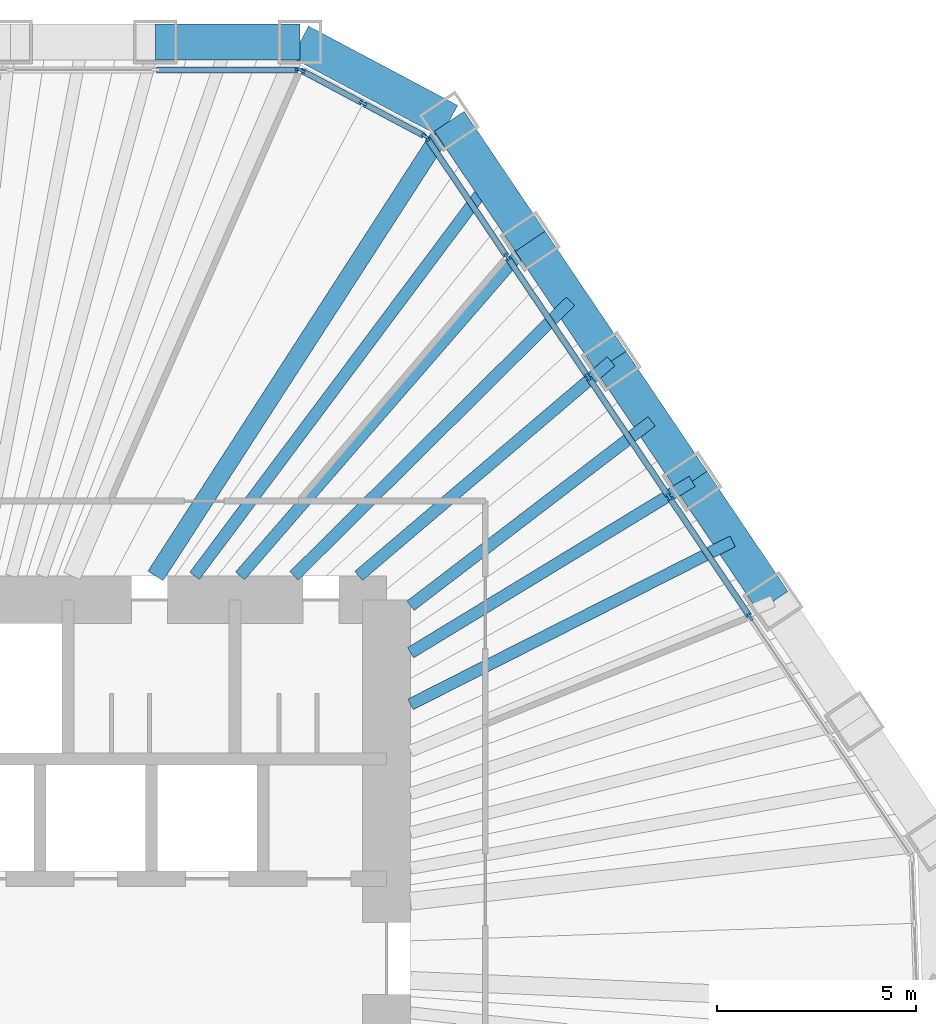
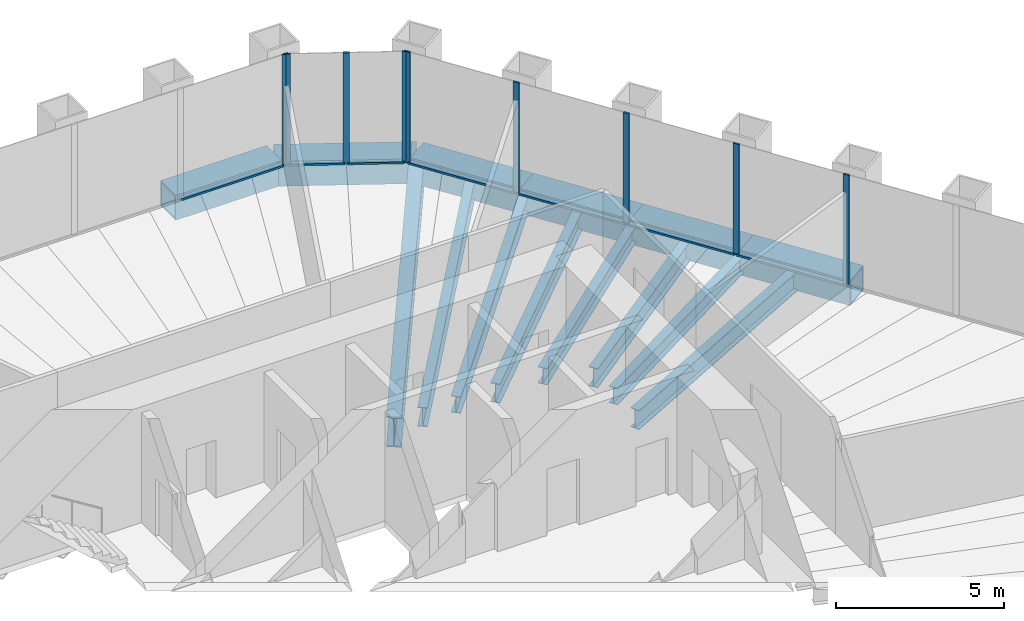
# One storey, part 7 of 13: 16 members, 14 beams, 3 elements without a shape of their own.
"""IFC4 building model written with IfcOpenShell, lengths in metres."""

from ifc_helpers import new_model, si_unit, direction, frame, origin, origin_2d, place, context, subcontext, project, spatial, rectangle, hollow_rectangle, i_section, extrude, material, material_profile, profile_set, type_object, element, aggregate, save


model = new_model("IFC4")

# Units and contexts
model_context = context("Model", 3, precision=1e-05, world=origin(), true_north=direction((0.0, 1.0)))
body_context = subcontext(model_context, "Body", "Model", "MODEL_VIEW")
ifc_project = project(units=[si_unit("LENGTHUNIT", "METRE"), si_unit("AREAUNIT", "SQUARE_METRE"), si_unit("VOLUMEUNIT", "CUBIC_METRE"), si_unit("PLANEANGLEUNIT", "RADIAN"), si_unit("MASSUNIT", "GRAM", prefix="KILO")], contexts=[model_context])

# Site, building, storey
site_placement = place(None, origin())
site = spatial("IfcSite", under=ifc_project, at=site_placement, CompositionType="ELEMENT")
building_placement = place(site_placement, origin())
building = spatial("IfcBuilding", under=site, at=building_placement, Name="Qingtian Harvest Tower", CompositionType="ELEMENT")
storey_placement = place(building_placement, frame((0.0, 0.0, 193.0)))
storey = spatial("IfcBuildingStorey", under=building, at=storey_placement, Name="L41", CompositionType="ELEMENT", Elevation=193.0)

# Beams
ifc_material_1 = material(Name="Steel SM570MC", Category="steel")
ifc_material_profile_1 = material_profile(ifc_material_1, i_section(OverallWidth=0.449951171875, OverallDepth=1.10009765625, WebThickness=0.02197265625, FlangeThickness=0.044921875, at=origin_2d()), Name="H1100x450x22x45")
ifc_profile_set_1 = profile_set([ifc_material_profile_1], Name="Steel SM570MC")
beam_type_1 = type_object("IfcBeamType", Name="Corner floor beam FB8 H1100x450x22x45", PredefinedType="BEAM", material=ifc_profile_set_1)
beam_1_placement = place(storey_placement, frame((13.5712890625, 21.01025390625, -0.719970703125), z_axis=(-0.542593072822, -0.839995688873, 0.0), x_axis=(0.839995688873, -0.542593072822, 0.0)))
element("IfcBeam", 1, at=beam_1_placement, inside=storey, type_object=beam_type_1, Name="Floor beam FB8 NE0", PredefinedType="BEAM", context=body_context, shape_type="SweptSolid", body=[
    extrude(i_section(OverallWidth=0.449951171875, OverallDepth=1.10009765625, WebThickness=0.02197265625, FlangeThickness=0.044921875, at=origin_2d()), origin(), (0.0, 0.0, 1.0), 13.58349609375),
])
ifc_material_2 = material(Name="Steel SN490B", Category="steel")
ifc_material_profile_2 = material_profile(ifc_material_2, i_section(OverallWidth=0.300048828125, OverallDepth=0.60009765625, WebThickness=0.011962890625, FlangeThickness=0.02001953125, at=origin_2d()), Name="H600x300x12x20")
ifc_profile_set_2 = profile_set([ifc_material_profile_2], Name="Steel SN490B")
beam_type_2 = type_object("IfcBeamType", Name="Floor beam FB3 H600x300x12x20", PredefinedType="BEAM", material=ifc_profile_set_2)
beam_2_placement = place(storey_placement, frame((15.603271484375, 17.998046875, -0.469970703125), z_axis=(-0.655048444444, -0.755586881458, 0.0), x_axis=(0.755586881458, -0.655048444444, 0.0)))
element("IfcBeam", 2, at=beam_2_placement, inside=storey, type_object=beam_type_2, Name="Floor beam FB3 NE1", PredefinedType="BEAM", context=body_context, shape_type="SweptSolid", body=[
    extrude(i_section(OverallWidth=0.300048828125, OverallDepth=0.60009765625, WebThickness=0.011962890625, FlangeThickness=0.02001953125, at=origin_2d()), origin(), (0.0, 0.0, 1.0), 11.114501953125),
])
beam_3_placement = place(storey_placement, frame((17.635009765625, 14.985595703125, -0.469970703125), z_axis=(-0.762028398305, -0.647543604846, 0.0), x_axis=(0.647543604846, -0.762028398305, 0.0)))
element("IfcBeam", 3, at=beam_3_placement, inside=storey, type_object=beam_type_2, Name="Floor beam FB3 NE2", PredefinedType="BEAM", context=body_context, shape_type="SweptSolid", body=[
    extrude(i_section(OverallWidth=0.300048828125, OverallDepth=0.60009765625, WebThickness=0.011962890625, FlangeThickness=0.02001953125, at=origin_2d()), origin(), (0.0, 0.0, 1.0), 8.31689453125),
])
beam_4_placement = place(storey_placement, frame((19.6669921875, 11.97314453125, -0.469970703125), z_axis=(-0.854163224424, -0.520004986554, 0.0), x_axis=(0.520004986554, -0.854163224424, 0.0)))
element("IfcBeam", 4, at=beam_4_placement, inside=storey, type_object=beam_type_2, Name="Floor beam FB3 NE3", PredefinedType="BEAM", context=body_context, shape_type="SweptSolid", body=[
    extrude(i_section(OverallWidth=0.300048828125, OverallDepth=0.60009765625, WebThickness=0.011962890625, FlangeThickness=0.02001953125, at=origin_2d()), origin(), (0.0, 0.0, 1.0), 8.2734375),
])
ifc_material_3 = material(Name="Steel SN490B", Category="steel")
ifc_material_profile_3 = material_profile(ifc_material_3, i_section(OverallWidth=0.300048828125, OverallDepth=0.699951171875, WebThickness=0.012939453125, FlangeThickness=0.02392578125, at=origin_2d()), Name="H700x300x13x24")
ifc_profile_set_3 = profile_set([ifc_material_profile_3], Name="Steel SN490B")
beam_type_3 = type_object("IfcBeamType", Name="Floor joist J2 H700x300x13x24", PredefinedType="JOIST", material=ifc_profile_set_3)
beam_5_placement = place(storey_placement, frame((14.58740234375, 19.504150390625, -0.52001953125), z_axis=(-0.598935081494, -0.800797582511, 0.0), x_axis=(0.800797582511, -0.598935081494, 0.0)))
element("IfcBeam", 5, at=beam_5_placement, inside=storey, type_object=beam_type_3, Name="Floor joist J2 NE0", PredefinedType="JOIST", context=body_context, shape_type="SweptSolid", body=[
    extrude(i_section(OverallWidth=0.300048828125, OverallDepth=0.699951171875, WebThickness=0.012939453125, FlangeThickness=0.02392578125, at=origin_2d()), origin(), (0.0, 0.0, 1.0), 12.36767578125),
])
beam_6_placement = place(storey_placement, frame((16.619140625, 16.49169921875, -0.52001953125), z_axis=(-0.709833839663, -0.704369164622, 0.0), x_axis=(0.704369164622, -0.709833839663, 0.0)))
element("IfcBeam", 6, at=beam_6_placement, inside=storey, type_object=beam_type_3, Name="Floor joist J2 NE1", PredefinedType="JOIST", context=body_context, shape_type="SweptSolid", body=[
    extrude(i_section(OverallWidth=0.300048828125, OverallDepth=0.699951171875, WebThickness=0.012939453125, FlangeThickness=0.02392578125, at=origin_2d()), origin(), (0.0, 0.0, 1.0), 9.7841796875),
])
beam_7_placement = place(storey_placement, frame((18.651123046875, 13.4794921875, -0.52001953125), z_axis=(-0.794222288871, -0.607627316585, 0.0), x_axis=(0.607627316585, -0.794222288871, 0.0)))
element("IfcBeam", 7, at=beam_7_placement, inside=storey, type_object=beam_type_3, Name="Floor joist J2 NE2", PredefinedType="JOIST", context=body_context, shape_type="SweptSolid", body=[
    extrude(i_section(OverallWidth=0.300048828125, OverallDepth=0.699951171875, WebThickness=0.012939453125, FlangeThickness=0.02392578125, at=origin_2d()), origin(), (0.0, 0.0, 1.0), 7.618896484375),
])
beam_8_placement = place(storey_placement, frame((20.682861328125, 10.467041015625, -0.52001953125), z_axis=(-0.892244443914, -0.451552712652, 0.0), x_axis=(0.451552712652, -0.892244443914, 0.0)))
element("IfcBeam", 8, at=beam_8_placement, inside=storey, type_object=beam_type_3, Name="Floor joist J2 NE3", PredefinedType="JOIST", context=body_context, shape_type="SweptSolid", body=[
    extrude(i_section(OverallWidth=0.300048828125, OverallDepth=0.699951171875, WebThickness=0.012939453125, FlangeThickness=0.02392578125, at=origin_2d()), origin(), (0.0, 0.0, 1.0), 9.058837890625),
])

# Curtain wall, member
ifc_material_4 = material(Name="Bronze-anodised aluminium curtain wall", Category="aluminium")
curtain_wall_type = type_object("IfcCurtainWallType", Name="Curtain wall CW4 office", PredefinedType="USERDEFINED", material=ifc_material_4)
curtain_wall_1_placement = place(storey_placement, origin())
curtain_wall_1 = element("IfcCurtainWall", 9, at=curtain_wall_1_placement, inside=storey, type_object=curtain_wall_type, Name="Curtain wall CW4 L41 N0-5", ObjectType="RECESSED CURTAIN WALL", PredefinedType="USERDEFINED")
ifc_material_5 = material(Name="Bronze-anodised aluminium mullion", Category="aluminium")
ifc_material_profile_4 = material_profile(ifc_material_5, rectangle(XDim=0.06494140625, YDim=0.199951171875, at=origin_2d()), Name="AL 65x200")
ifc_profile_set_4 = profile_set([ifc_material_profile_4], Name="Bronze-anodised aluminium mullion")
member_type_1 = type_object("IfcMemberType", Name="Mullion CWM 65x200", PredefinedType="MULLION", material=ifc_profile_set_4)
member_1_placement = place(storey_placement, frame((9.796875, 22.300048828125, 0.0), z_axis=(0.0, 0.0, 1.0), x_axis=(0.0, 1.0, 0.0)))
member_1 = element("IfcMember", 10, at=member_1_placement, type_object=member_type_1, Name="CW4 mullion 7", PredefinedType="MULLION", context=body_context, shape_type="SweptSolid", body=[
    extrude(rectangle(XDim=0.06494140625, YDim=0.199951171875, at=origin_2d()), origin(), (0.0, 0.0, 1.0), 4.030029296875),
])

# Curtain wall, members
curtain_wall_2_placement = place(storey_placement, origin())
curtain_wall_2 = element("IfcCurtainWall", 11, at=curtain_wall_2_placement, inside=storey, type_object=curtain_wall_type, Name="Curtain wall CW4 L41 NC", ObjectType="RECESSED CURTAIN WALL", PredefinedType="USERDEFINED")
member_2_placement = place(storey_placement, frame((9.85791015625, 22.28466796875, 0.0), z_axis=(0.0, 0.0, 1.0), x_axis=(0.469471562786, 0.882947592859, 0.0)))
member_2 = element("IfcMember", 12, at=member_2_placement, type_object=member_type_1, Name="CW4 mullion 1", PredefinedType="MULLION", context=body_context, shape_type="SweptSolid", body=[
    extrude(rectangle(XDim=0.06494140625, YDim=0.199951171875, at=origin_2d()), origin(), (0.0, 0.0, 1.0), 4.030029296875),
])
member_3_placement = place(storey_placement, frame((11.41015625, 21.45947265625, 0.0), z_axis=(0.0, 0.0, 1.0), x_axis=(0.469471562786, 0.882947592859, 0.0)))
member_3 = element("IfcMember", 13, at=member_3_placement, type_object=member_type_1, Name="CW4 mullion 2", PredefinedType="MULLION", context=body_context, shape_type="SweptSolid", body=[
    extrude(rectangle(XDim=0.06494140625, YDim=0.199951171875, at=origin_2d()), origin(), (0.0, 0.0, 1.0), 4.030029296875),
])
member_4_placement = place(storey_placement, frame((12.96240234375, 20.634033203125, 0.0), z_axis=(0.0, 0.0, 1.0), x_axis=(0.469471562786, 0.882947592859, 0.0)))
member_4 = element("IfcMember", 14, at=member_4_placement, type_object=member_type_1, Name="CW4 mullion 3", PredefinedType="MULLION", context=body_context, shape_type="SweptSolid", body=[
    extrude(rectangle(XDim=0.06494140625, YDim=0.199951171875, at=origin_2d()), origin(), (0.0, 0.0, 1.0), 4.030029296875),
])

curtain_wall_3_placement = place(storey_placement, origin())
curtain_wall_3 = element("IfcCurtainWall", 15, at=curtain_wall_3_placement, inside=storey, type_object=curtain_wall_type, Name="Curtain wall CW4 L41 NE0-5", ObjectType="RECESSED CURTAIN WALL", PredefinedType="USERDEFINED")
member_5_placement = place(storey_placement, frame((13.00927734375, 20.592041015625, 0.0), z_axis=(0.0, 0.0, 1.0), x_axis=(0.829037572555, 0.559192903471, 0.0)))
member_5 = element("IfcMember", 16, at=member_5_placement, type_object=member_type_1, Name="CW4 mullion 1", PredefinedType="MULLION", context=body_context, shape_type="SweptSolid", body=[
    extrude(rectangle(XDim=0.06494140625, YDim=0.199951171875, at=origin_2d()), origin(), (0.0, 0.0, 1.0), 4.030029296875),
])
member_6_placement = place(storey_placement, frame((15.02294921875, 17.6064453125, 0.0), z_axis=(0.0, 0.0, 1.0), x_axis=(0.829037572555, 0.559192903471, 0.0)))
member_6 = element("IfcMember", 17, at=member_6_placement, type_object=member_type_1, Name="CW4 mullion 2", PredefinedType="MULLION", context=body_context, shape_type="SweptSolid", body=[
    extrude(rectangle(XDim=0.06494140625, YDim=0.199951171875, at=origin_2d()), origin(), (0.0, 0.0, 1.0), 4.030029296875),
])
member_7_placement = place(storey_placement, frame((17.0546875, 14.59423828125, 0.0), z_axis=(0.0, 0.0, 1.0), x_axis=(0.829037572555, 0.559192903471, 0.0)))
member_7 = element("IfcMember", 18, at=member_7_placement, type_object=member_type_1, Name="CW4 mullion 3", PredefinedType="MULLION", context=body_context, shape_type="SweptSolid", body=[
    extrude(rectangle(XDim=0.06494140625, YDim=0.199951171875, at=origin_2d()), origin(), (0.0, 0.0, 1.0), 4.030029296875),
])
member_8_placement = place(storey_placement, frame((19.086669921875, 11.581787109375, 0.0), z_axis=(0.0, 0.0, 1.0), x_axis=(0.829037572555, 0.559192903471, 0.0)))
member_8 = element("IfcMember", 19, at=member_8_placement, type_object=member_type_1, Name="CW4 mullion 4", PredefinedType="MULLION", context=body_context, shape_type="SweptSolid", body=[
    extrude(rectangle(XDim=0.06494140625, YDim=0.199951171875, at=origin_2d()), origin(), (0.0, 0.0, 1.0), 4.030029296875),
])
member_9_placement = place(storey_placement, frame((21.118408203125, 8.569580078125, 0.0), z_axis=(0.0, 0.0, 1.0), x_axis=(0.829037572555, 0.559192903471, 0.0)))
member_9 = element("IfcMember", 20, at=member_9_placement, type_object=member_type_1, Name="CW4 mullion 5", PredefinedType="MULLION", context=body_context, shape_type="SweptSolid", body=[
    extrude(rectangle(XDim=0.06494140625, YDim=0.199951171875, at=origin_2d()), origin(), (0.0, 0.0, 1.0), 4.030029296875),
])

# Beams
ifc_material_6 = material(Name="Steel SM570MC", Category="steel")
ifc_material_profile_5 = material_profile(ifc_material_6, hollow_rectangle(XDim=0.89990234375, YDim=0.89990234375, WallThickness=0.050048828125, at=origin_2d()), Name="BOX900x900x50")
ifc_profile_set_5 = profile_set([ifc_material_profile_5], Name="Steel SM570MC")
beam_type_4 = type_object("IfcBeamType", Name="Transition spandrel SB6 BOX900x900x50", PredefinedType="SPANDREL", material=ifc_profile_set_5)
beam_9_placement = place(storey_placement, frame((6.19580078125, 23.0, -0.449951171875), z_axis=(1.0, 0.0, 0.0), x_axis=(0.0, 1.0, 0.0)))
element("IfcBeam", 21, at=beam_9_placement, inside=storey, type_object=beam_type_4, Name="Spandrel SB6 N5", PredefinedType="SPANDREL", context=body_context, shape_type="SweptSolid", body=[
    extrude(hollow_rectangle(XDim=0.89990234375, YDim=0.89990234375, WallThickness=0.050048828125, at=origin_2d()), origin(), (0.0, 0.0, 1.0), 3.633544921875),
])
beam_10_placement = place(storey_placement, frame((9.829345703125, 23.0, -0.449951171875), z_axis=(0.882935902835, -0.469493547863, 0.0), x_axis=(0.469493547863, 0.882935902835, 0.0)))
element("IfcBeam", 22, at=beam_10_placement, inside=storey, type_object=beam_type_4, Name="Spandrel SB6 NC", PredefinedType="SPANDREL", context=body_context, shape_type="SweptSolid", body=[
    extrude(hollow_rectangle(XDim=0.89990234375, YDim=0.89990234375, WallThickness=0.050048828125, at=origin_2d()), origin(), (0.0, 0.0, 1.0), 4.238037109375),
])
for number, where, z_axis, x_axis, name in (
    (23, (13.5712890625, 21.01025390625, -0.449951171875), (0.559235108412, -0.829009103399, 0.0), (0.829009103399, 0.559235108412, 0.0), "Spandrel SB6 NE0"),
    (24, (15.603271484375, 17.998046875, -0.449951171875), (0.55915777886, -0.829061263321, 0.0), (0.829061263321, 0.55915777886, 0.0), "Spandrel SB6 NE1"),
):
    element("IfcBeam", number, at=place(storey_placement, frame(where, z_axis=z_axis, x_axis=x_axis)), inside=storey, type_object=beam_type_4, Name=name, PredefinedType="SPANDREL", context=body_context, shape_type="SweptSolid", body=[
        extrude(hollow_rectangle(XDim=0.89990234375, YDim=0.89990234375, WallThickness=0.050048828125, at=origin_2d()), origin(), (0.0, 0.0, 1.0), 3.633544921875),
    ])
beam_11_placement = place(storey_placement, frame((17.635009765625, 14.985595703125, -0.449951171875), z_axis=(0.55920395902, -0.829030115385, 0.0), x_axis=(0.829030115385, 0.55920395902, 0.0)))
element("IfcBeam", 25, at=beam_11_placement, inside=storey, type_object=beam_type_4, Name="Spandrel SB6 NE2", PredefinedType="SPANDREL", context=body_context, shape_type="SweptSolid", body=[
    extrude(hollow_rectangle(XDim=0.89990234375, YDim=0.89990234375, WallThickness=0.050048828125, at=origin_2d()), origin(), (0.0, 0.0, 1.0), 3.6337890625),
])
beam_12_placement = place(storey_placement, frame((19.6669921875, 11.97314453125, -0.449951171875), z_axis=(0.559188928021, -0.829040254016, 0.0), x_axis=(0.829040254016, 0.559188928021, 0.0)))
element("IfcBeam", 26, at=beam_12_placement, inside=storey, type_object=beam_type_4, Name="Spandrel SB6 NE3", PredefinedType="SPANDREL", context=body_context, shape_type="SweptSolid", body=[
    extrude(hollow_rectangle(XDim=0.89990234375, YDim=0.89990234375, WallThickness=0.050048828125, at=origin_2d()), origin(), (0.0, 0.0, 1.0), 3.63330078125),
])

# Member
ifc_material_7 = material(Name="Bronze-anodised aluminium transom", Category="aluminium")
ifc_material_profile_6 = material_profile(ifc_material_7, rectangle(XDim=0.14990234375, YDim=0.06494140625, at=origin_2d()), Name="AL 65x150")
ifc_profile_set_6 = profile_set([ifc_material_profile_6], Name="Bronze-anodised aluminium transom")
member_type_2 = type_object("IfcMemberType", Name="Transom CWT 65x150", PredefinedType="USERDEFINED", material=ifc_profile_set_6)
member_10_placement = place(storey_placement, frame((6.228271484375, 22.300048828125, 0.032470703125), z_axis=(1.0, 0.0, 0.0), x_axis=(0.0, 1.0, 0.0)))
member_10 = element("IfcMember", 27, at=member_10_placement, type_object=member_type_2, Name="CW4 transom 6.1", ObjectType="TRANSOM", PredefinedType="USERDEFINED", context=body_context, shape_type="SweptSolid", body=[
    extrude(rectangle(XDim=0.14990234375, YDim=0.06494140625, at=origin_2d()), origin(), (0.0, 0.0, 1.0), 3.5361328125),
])

aggregate(curtain_wall_1, [member_1, member_10])

member_11_placement = place(storey_placement, frame((9.88671875, 22.26953125, 0.032470703125), z_axis=(0.882927080927, -0.469510138086, 0.0), x_axis=(0.469510138086, 0.882927080927, 0.0)))
member_11 = element("IfcMember", 28, at=member_11_placement, type_object=member_type_2, Name="CW4 transom 1.1", ObjectType="TRANSOM", PredefinedType="USERDEFINED", context=body_context, shape_type="SweptSolid", body=[
    extrude(rectangle(XDim=0.14990234375, YDim=0.06494140625, at=origin_2d()), origin(), (0.0, 0.0, 1.0), 1.693115234375),
])

member_12_placement = place(storey_placement, frame((11.43896484375, 21.444091796875, 0.032470703125), z_axis=(0.882955074232, -0.469457492098, 0.0), x_axis=(0.469457492098, 0.882955074232, 0.0)))
member_12 = element("IfcMember", 29, at=member_12_placement, type_object=member_type_2, Name="CW4 transom 2.1", ObjectType="TRANSOM", PredefinedType="USERDEFINED", context=body_context, shape_type="SweptSolid", body=[
    extrude(rectangle(XDim=0.14990234375, YDim=0.06494140625, at=origin_2d()), origin(), (0.0, 0.0, 1.0), 1.69287109375),
])

aggregate(curtain_wall_2, [member_2, member_3, member_4, member_11, member_12])

member_13_placement = place(storey_placement, frame((13.02734375, 20.56494140625, 0.032470703125), z_axis=(0.559201266891, -0.829031931295, 0.0), x_axis=(0.829031931295, 0.559201266891, 0.0)))
member_13 = element("IfcMember", 30, at=member_13_placement, type_object=member_type_2, Name="CW4 transom 1.1", ObjectType="TRANSOM", PredefinedType="USERDEFINED", context=body_context, shape_type="SweptSolid", body=[
    extrude(rectangle(XDim=0.14990234375, YDim=0.06494140625, at=origin_2d()), origin(), (0.0, 0.0, 1.0), 3.535888671875),
])

member_14_placement = place(storey_placement, frame((15.041015625, 17.57958984375, 0.032470703125), z_axis=(0.559207281901, -0.829027874, 0.0), x_axis=(0.829027874, 0.559207281901, 0.0)))
member_14 = element("IfcMember", 31, at=member_14_placement, type_object=member_type_2, Name="CW4 transom 2.1", ObjectType="TRANSOM", PredefinedType="USERDEFINED", context=body_context, shape_type="SweptSolid", body=[
    extrude(rectangle(XDim=0.14990234375, YDim=0.06494140625, at=origin_2d()), origin(), (0.0, 0.0, 1.0), 3.568603515625),
])

member_15_placement = place(storey_placement, frame((17.072998046875, 14.567138671875, 0.032470703125), z_axis=(0.559191977147, -0.829038197368, 0.0), x_axis=(0.829038197368, 0.559191977147, 0.0)))
member_15 = element("IfcMember", 32, at=member_15_placement, type_object=member_type_2, Name="CW4 transom 3.1", ObjectType="TRANSOM", PredefinedType="USERDEFINED", context=body_context, shape_type="SweptSolid", body=[
    extrude(rectangle(XDim=0.14990234375, YDim=0.06494140625, at=origin_2d()), origin(), (0.0, 0.0, 1.0), 3.568359375),
])

member_16_placement = place(storey_placement, frame((19.104736328125, 11.554931640625, 0.032470703125), z_axis=(0.559207281901, -0.829027874, 0.0), x_axis=(0.829027874, 0.559207281901, 0.0)))
member_16 = element("IfcMember", 33, at=member_16_placement, type_object=member_type_2, Name="CW4 transom 4.1", ObjectType="TRANSOM", PredefinedType="USERDEFINED", context=body_context, shape_type="SweptSolid", body=[
    extrude(rectangle(XDim=0.14990234375, YDim=0.06494140625, at=origin_2d()), origin(), (0.0, 0.0, 1.0), 3.568603515625),
])

aggregate(curtain_wall_3, [member_5, member_6, member_7, member_8, member_9, member_13, member_14, member_15, member_16])

save(model, "model.ifc")
